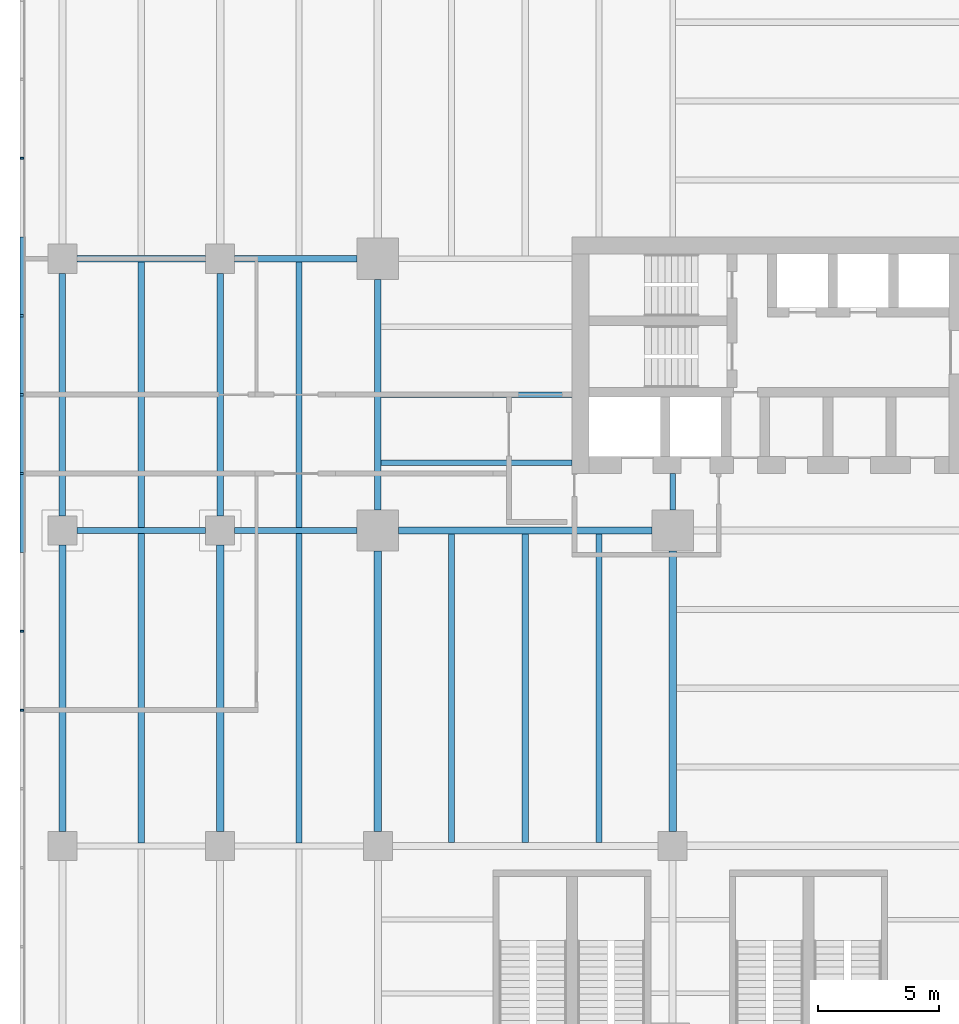
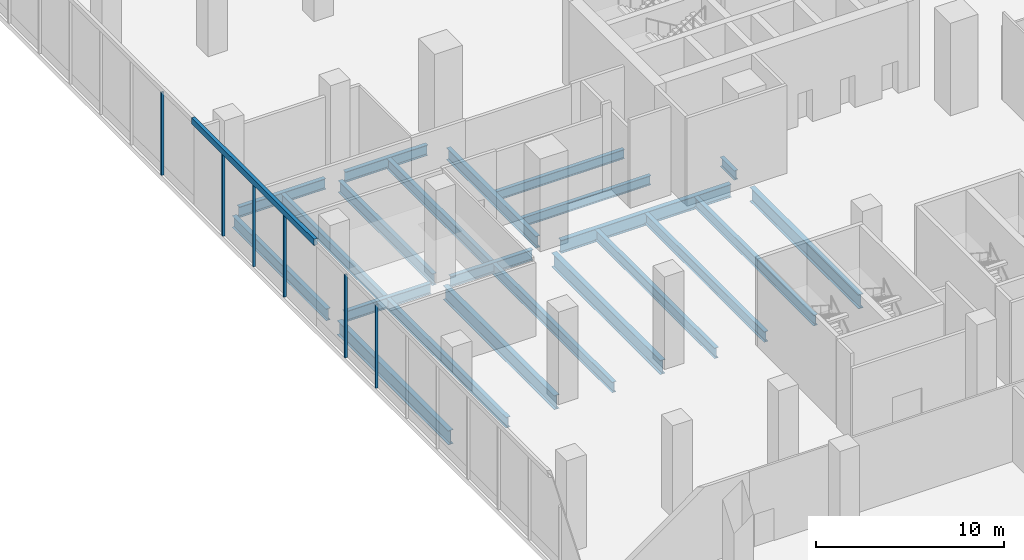
# One storey, part 10 of 41: 22 beams, 7 members, 3 elements without a shape of their own.
"""IFC4 building model written with IfcOpenShell, lengths in metres."""

from ifc_helpers import new_model, si_unit, direction, frame, origin, origin_2d, place, context, subcontext, project, spatial, polyline, rectangle, i_section, outline, extrude, source, transform, mapped, material, layer, layer_set, material_profile, profile_set, type_object, element, aggregate, save


model = new_model("IFC4")

# Units and contexts
model_context = context("Model", 3, precision=1e-05, world=origin(), true_north=direction((0.0, 1.0)))
body_context = subcontext(model_context, "Body", "Model", "MODEL_VIEW")
ifc_project = project(units=[si_unit("LENGTHUNIT", "METRE"), si_unit("AREAUNIT", "SQUARE_METRE"), si_unit("VOLUMEUNIT", "CUBIC_METRE"), si_unit("PLANEANGLEUNIT", "RADIAN"), si_unit("MASSUNIT", "GRAM", prefix="KILO")], contexts=[model_context])

# Site, building, storey
site_placement = place(None, origin())
site = spatial("IfcSite", under=ifc_project, at=site_placement, CompositionType="ELEMENT")
building_placement = place(site_placement, origin())
building = spatial("IfcBuilding", under=site, at=building_placement, Name="Trellis Farm Tower", CompositionType="ELEMENT")
storey_placement = place(building_placement, frame((0.0, 0.0, 8.0)))
storey = spatial("IfcBuildingStorey", under=building, at=storey_placement, Name="L01", CompositionType="ELEMENT", Elevation=8.0)

# Curtain wall, member
ifc_material_1 = material(Name="Aluminium and glass curtain wall", Category="aluminium")
ifc_layer_1 = layer(ifc_material_1, 0.2099609375)
ifc_layer_set_1 = layer_set([ifc_layer_1], Name="LOBBY CURTAIN WALL CW4")
curtain_wall_type_1 = type_object("IfcCurtainWallType", Name="LOBBY CURTAIN WALL CW4", PredefinedType="NOTDEFINED", material=ifc_layer_set_1)
placement = place(storey_placement, origin())
curtain_wall_1 = element("IfcCurtainWall", 1, at=placement, inside=storey, type_object=curtain_wall_type_1, Name="CW4 003", PredefinedType="NOTDEFINED")
ifc_material_2 = material(Name="Aluminium extrusion 6063-T6", Category="aluminium")
ifc_layer_2 = layer(ifc_material_2, 0.2099609375)
ifc_layer_set_2 = layer_set([ifc_layer_2], Name="Aluminium extrusion 6063-T6")
member_type_1 = type_object("IfcMemberType", Name="CW4 TRANSOM 210x400", PredefinedType="USERDEFINED", material=ifc_layer_set_2)
member_1_placement = place(storey_placement, frame((0.0, 0.0, 5.300048828125)))
member_1 = element("IfcMember", 2, at=member_1_placement, type_object=member_type_1, Name="TR4 003", ObjectType="TRANSOM", PredefinedType="USERDEFINED", context=body_context, shape_type="SweptSolid", body=[
    extrude(outline(polyline([(-45.5, 6.5), (-45.5, -6.5), (-45.2900390625, -6.5), (-45.2900390625, 6.5), (-45.5, 6.5)])), origin(), (0.0, 0.0, 1.0), 0.39990234375),
])

# Beams
ifc_material_3 = material(Name="Steel S355", Category="steel")
ifc_material_profile_1 = material_profile(ifc_material_3, i_section(OverallWidth=0.253662109375, OverallDepth=0.68359375, WebThickness=0.012451171875, FlangeThickness=0.021728515625, FilletRadius=0.01513671875, at=origin_2d()), Name="UB 686x254x140")
ifc_profile_set_1 = profile_set([ifc_material_profile_1], Name="Steel S355")
beam_type_1 = type_object("IfcBeamType", Name="UB 686x254x140", PredefinedType="BEAM", material=ifc_profile_set_1)
shared_shape_1 = source(origin(), body_context, "Body", "SweptSolid", [
    extrude(i_section(OverallWidth=0.253662109375, OverallDepth=0.68359375, WebThickness=0.012451171875, FlangeThickness=0.021728515625, FilletRadius=0.01513671875, at=origin_2d()), origin(), (0.0, 0.0, 1.0), 5.2998046875),
])
for number, where, z_axis, x_axis, name in (
    (3, (-43.14990234375, -5.60009765625, -0.641845703125), (1.0, 0.0, 0.0), (0.0, 1.0, 0.0), "Girder"),
    (4, (-43.14990234375, 5.60009765625, -0.641845703125), (1.0, 0.0, 0.0), (0.0, 1.0, 0.0), "Girder"),
):
    element("IfcBeam", number, at=place(storey_placement, frame(where, z_axis=z_axis, x_axis=x_axis)), inside=storey, type_object=beam_type_1, Name=name, PredefinedType="BEAM", context=body_context, shape_type="MappedRepresentation", body=[
        mapped(shared_shape_1, transform((0.0, 0.0, 0.0))),
    ])
ifc_material_profile_2 = material_profile(ifc_material_3, i_section(OverallWidth=0.305419921875, OverallDepth=0.91845703125, WebThickness=0.017333984375, FlangeThickness=0.02783203125, FilletRadius=0.01904296875, at=origin_2d()), Name="UB 914x305x253")
ifc_profile_set_2 = profile_set([ifc_material_profile_2], Name="Steel S355")
beam_type_2 = type_object("IfcBeamType", Name="UB 914x305x253", PredefinedType="BEAM", material=ifc_profile_set_2)
shared_shape_2 = source(origin(), body_context, "Body", "SweptSolid", [
    extrude(i_section(OverallWidth=0.305419921875, OverallDepth=0.91845703125, WebThickness=0.017333984375, FlangeThickness=0.02783203125, FilletRadius=0.01904296875, at=origin_2d()), origin(), (0.0, 0.0, 1.0), 11.800048828125),
])
for number, where, z_axis, x_axis, name in (
    (5, (-43.75, -18.0, -0.75927734375), (0.0, 1.0, 0.0), (-1.0, 0.0, 0.0), "Girder"),
    (6, (-37.25, -18.0, -0.75927734375), (0.0, 1.0, 0.0), (-1.0, 0.0, 0.0), "Girder"),
):
    element("IfcBeam", number, at=place(storey_placement, frame(where, z_axis=z_axis, x_axis=x_axis)), inside=storey, type_object=beam_type_2, Name=name, PredefinedType="BEAM", context=body_context, shape_type="MappedRepresentation", body=[
        mapped(shared_shape_2, transform((0.0, 0.0, 0.0))),
    ])
ifc_material_profile_3 = material_profile(ifc_material_3, i_section(OverallWidth=0.2666015625, OverallDepth=0.76220703125, WebThickness=0.014404296875, FlangeThickness=0.021484375, FilletRadius=0.0166015625, at=origin_2d()), Name="UB 762x267x173")
ifc_profile_set_3 = profile_set([ifc_material_profile_3], Name="Steel S355")
beam_type_3 = type_object("IfcBeamType", Name="UB 762x267x173", PredefinedType="BEAM", material=ifc_profile_set_3)
shared_shape_3 = source(origin(), body_context, "Body", "SweptSolid", [
    extrude(i_section(OverallWidth=0.2666015625, OverallDepth=0.76220703125, WebThickness=0.014404296875, FlangeThickness=0.021484375, FilletRadius=0.0166015625, at=origin_2d()), origin(), (0.0, 0.0, 1.0), 10.0),
])
for number, where, z_axis, x_axis, name in (
    (7, (-43.75, -5.0, -0.68115234375), (0.0, 1.0, 0.0), (-1.0, 0.0, 0.0), "Girder"),
    (8, (-37.25, -5.0, -0.68115234375), (0.0, 1.0, 0.0), (-1.0, 0.0, 0.0), "Girder"),
):
    element("IfcBeam", number, at=place(storey_placement, frame(where, z_axis=z_axis, x_axis=x_axis)), inside=storey, type_object=beam_type_3, Name=name, PredefinedType="BEAM", context=body_context, shape_type="MappedRepresentation", body=[
        mapped(shared_shape_3, transform((0.0, 0.0, 0.0))),
    ])
shared_shape_4 = source(origin(), body_context, "Body", "SweptSolid", [
    extrude(i_section(OverallWidth=0.305419921875, OverallDepth=0.91845703125, WebThickness=0.017333984375, FlangeThickness=0.02783203125, FilletRadius=0.01904296875, at=origin_2d()), origin(), (0.0, 0.0, 1.0), 11.550048828125),
])
for number, where, z_axis, x_axis, name in (
    (9, (-30.75, -18.0, -0.75927734375), (0.0, 1.0, 0.0), (-1.0, 0.0, 0.0), "Girder"),
    (10, (-18.60009765625, -18.0, -0.75927734375), (0.0, 1.0, 0.0), (-1.0, 0.0, 0.0), "Girder"),
):
    element("IfcBeam", number, at=place(storey_placement, frame(where, z_axis=z_axis, x_axis=x_axis)), inside=storey, type_object=beam_type_2, Name=name, PredefinedType="BEAM", context=body_context, shape_type="MappedRepresentation", body=[
        mapped(shared_shape_4, transform((0.0, 0.0, 0.0))),
    ])
shared_shape_5 = source(origin(), body_context, "Body", "SweptSolid", [
    extrude(i_section(OverallWidth=0.2666015625, OverallDepth=0.76220703125, WebThickness=0.014404296875, FlangeThickness=0.021484375, FilletRadius=0.0166015625, at=origin_2d()), origin(), (0.0, 0.0, 1.0), 9.5),
])
beam_1_placement = place(storey_placement, frame((-30.75, -4.75, -0.68115234375), z_axis=(0.0, 1.0, 0.0), x_axis=(-1.0, 0.0, 0.0)))
element("IfcBeam", 11, at=beam_1_placement, inside=storey, type_object=beam_type_3, Name="Girder", PredefinedType="BEAM", context=body_context, shape_type="MappedRepresentation", body=[
    mapped(shared_shape_5, transform((0.0, 0.0, 0.0))),
])
shared_shape_6 = source(origin(), body_context, "Body", "SweptSolid", [
    extrude(i_section(OverallWidth=0.253662109375, OverallDepth=0.68359375, WebThickness=0.012451171875, FlangeThickness=0.021728515625, FilletRadius=0.01513671875, at=origin_2d()), origin(), (0.0, 0.0, 1.0), 5.0498046875),
])
for number, where, z_axis, x_axis, name in (
    (12, (-36.64990234375, -5.60009765625, -0.641845703125), (1.0, 0.0, 0.0), (0.0, 1.0, 0.0), "Girder"),
    (13, (-36.64990234375, 5.60009765625, -0.641845703125), (1.0, 0.0, 0.0), (0.0, 1.0, 0.0), "Girder"),
):
    element("IfcBeam", number, at=place(storey_placement, frame(where, z_axis=z_axis, x_axis=x_axis)), inside=storey, type_object=beam_type_1, Name=name, PredefinedType="BEAM", context=body_context, shape_type="MappedRepresentation", body=[
        mapped(shared_shape_6, transform((0.0, 0.0, 0.0))),
    ])
ifc_material_profile_4 = material_profile(ifc_material_3, i_section(OverallWidth=0.29248046875, OverallDepth=0.8408203125, WebThickness=0.0146484375, FlangeThickness=0.021728515625, FilletRadius=0.017822265625, at=origin_2d()), Name="UB 838x292x194")
ifc_profile_set_4 = profile_set([ifc_material_profile_4], Name="Steel S355")
beam_type_4 = type_object("IfcBeamType", Name="UB 838x292x194", PredefinedType="BEAM", material=ifc_profile_set_4)
shared_shape_7 = source(origin(), body_context, "Body", "SweptSolid", [
    extrude(i_section(OverallWidth=0.29248046875, OverallDepth=0.8408203125, WebThickness=0.0146484375, FlangeThickness=0.021728515625, FilletRadius=0.017822265625, at=origin_2d()), origin(), (0.0, 0.0, 1.0), 10.449951171875),
])
beam_2_placement = place(storey_placement, frame((-29.89990234375, -5.60009765625, -0.72021484375), z_axis=(1.0, 0.0, 0.0), x_axis=(0.0, 1.0, 0.0)))
element("IfcBeam", 14, at=beam_2_placement, inside=storey, type_object=beam_type_4, Name="Girder", PredefinedType="BEAM", context=body_context, shape_type="MappedRepresentation", body=[
    mapped(shared_shape_7, transform((0.0, 0.0, 0.0))),
])
ifc_material_profile_5 = material_profile(ifc_material_3, i_section(OverallWidth=0.22900390625, OverallDepth=0.6123046875, WebThickness=0.011962890625, FlangeThickness=0.01953125, FilletRadius=0.0126953125, at=origin_2d()), Name="UB 610x229x125")
ifc_profile_set_5 = profile_set([ifc_material_profile_5], Name="Steel S355")
beam_type_5 = type_object("IfcBeamType", Name="UB 610x229x125", PredefinedType="BEAM", material=ifc_profile_set_5)
shared_shape_8 = source(origin(), body_context, "Body", "SweptSolid", [
    extrude(i_section(OverallWidth=0.22900390625, OverallDepth=0.6123046875, WebThickness=0.011962890625, FlangeThickness=0.01953125, FilletRadius=0.0126953125, at=origin_2d()), origin(), (0.0, 0.0, 1.0), 1.5),
])
beam_3_placement = place(storey_placement, frame((-18.60009765625, -4.75, -0.606201171875), z_axis=(0.0, 1.0, 0.0), x_axis=(-1.0, 0.0, 0.0)))
element("IfcBeam", 15, at=beam_3_placement, inside=storey, type_object=beam_type_5, Name="Girder", PredefinedType="BEAM", context=body_context, shape_type="MappedRepresentation", body=[
    mapped(shared_shape_8, transform((0.0, 0.0, 0.0))),
])
ifc_material_profile_6 = material_profile(ifc_material_3, i_section(OverallWidth=0.253662109375, OverallDepth=0.68359375, WebThickness=0.012451171875, FlangeThickness=0.021728515625, FilletRadius=0.01513671875, at=origin_2d()), Name="UB 686x254x140")
ifc_profile_set_6 = profile_set([ifc_material_profile_6], Name="Steel S355")
beam_type_6 = type_object("IfcBeamType", Name="UB 686x254x140 joist", PredefinedType="JOIST", material=ifc_profile_set_6)
shared_shape_9 = source(origin(), body_context, "Body", "SweptSolid", [
    extrude(i_section(OverallWidth=0.253662109375, OverallDepth=0.68359375, WebThickness=0.012451171875, FlangeThickness=0.021728515625, FilletRadius=0.01513671875, at=origin_2d()), origin(), (0.0, 0.0, 1.0), 12.746337890625),
])
for number, where, z_axis, x_axis, name in (
    (16, (-40.5, -18.47314453125, -0.641845703125), (0.0, 1.0, 0.0), (-1.0, 0.0, 0.0), "Floor beam"),
    (17, (-34.0, -18.47314453125, -0.641845703125), (0.0, 1.0, 0.0), (-1.0, 0.0, 0.0), "Floor beam"),
):
    element("IfcBeam", number, at=place(storey_placement, frame(where, z_axis=z_axis, x_axis=x_axis)), inside=storey, type_object=beam_type_6, Name=name, PredefinedType="JOIST", context=body_context, shape_type="MappedRepresentation", body=[
        mapped(shared_shape_9, transform((0.0, 0.0, 0.0))),
    ])
shared_shape_10 = source(origin(), body_context, "Body", "SweptSolid", [
    extrude(i_section(OverallWidth=0.253662109375, OverallDepth=0.68359375, WebThickness=0.012451171875, FlangeThickness=0.021728515625, FilletRadius=0.01513671875, at=origin_2d()), origin(), (0.0, 0.0, 1.0), 10.9462890625),
])
for number, where, z_axis, x_axis, name in (
    (18, (-40.5, -5.47314453125, -0.641845703125), (0.0, 1.0, 0.0), (-1.0, 0.0, 0.0), "Floor beam"),
    (19, (-34.0, -5.47314453125, -0.641845703125), (0.0, 1.0, 0.0), (-1.0, 0.0, 0.0), "Floor beam"),
):
    element("IfcBeam", number, at=place(storey_placement, frame(where, z_axis=z_axis, x_axis=x_axis)), inside=storey, type_object=beam_type_6, Name=name, PredefinedType="JOIST", context=body_context, shape_type="MappedRepresentation", body=[
        mapped(shared_shape_10, transform((0.0, 0.0, 0.0))),
    ])
ifc_material_profile_7 = material_profile(ifc_material_3, i_section(OverallWidth=0.2275390625, OverallDepth=0.6025390625, WebThickness=0.010498046875, FlangeThickness=0.014892578125, FilletRadius=0.0126953125, at=origin_2d()), Name="UB 610x229x101")
ifc_profile_set_7 = profile_set([ifc_material_profile_7], Name="Steel S355")
beam_type_7 = type_object("IfcBeamType", Name="UB 610x229x101 joist", PredefinedType="JOIST", material=ifc_profile_set_7)
shared_shape_11 = source(origin(), body_context, "Body", "SweptSolid", [
    extrude(i_section(OverallWidth=0.2275390625, OverallDepth=0.6025390625, WebThickness=0.010498046875, FlangeThickness=0.014892578125, FilletRadius=0.0126953125, at=origin_2d()), origin(), (0.0, 0.0, 1.0), 7.86669921875),
])
for number, where, z_axis, x_axis, name in (
    (20, (-30.61669921875, -2.800048828125, -0.601318359375), (1.0, 0.0, 0.0), (0.0, 1.0, 0.0), "Floor beam"),
    (21, (-30.61669921875, 0.0, -0.601318359375), (1.0, 0.0, 0.0), (0.0, 1.0, 0.0), "Floor beam"),
):
    element("IfcBeam", number, at=place(storey_placement, frame(where, z_axis=z_axis, x_axis=x_axis)), inside=storey, type_object=beam_type_7, Name=name, PredefinedType="JOIST", context=body_context, shape_type="MappedRepresentation", body=[
        mapped(shared_shape_11, transform((0.0, 0.0, 0.0))),
    ])
shared_shape_12 = source(origin(), body_context, "Body", "SweptSolid", [
    extrude(i_section(OverallWidth=0.253662109375, OverallDepth=0.68359375, WebThickness=0.012451171875, FlangeThickness=0.021728515625, FilletRadius=0.01513671875, at=origin_2d()), origin(), (0.0, 0.0, 1.0), 12.707763671875),
])
for number, where, z_axis, x_axis, name in (
    (22, (-27.71240234375, -18.453857421875, -0.641845703125), (0.0, 1.0, 0.0), (-1.0, 0.0, 0.0), "Floor beam"),
    (23, (-24.675048828125, -18.453857421875, -0.641845703125), (0.0, 1.0, 0.0), (-1.0, 0.0, 0.0), "Floor beam"),
    (24, (-21.637451171875, -18.453857421875, -0.641845703125), (0.0, 1.0, 0.0), (-1.0, 0.0, 0.0), "Floor beam"),
):
    element("IfcBeam", number, at=place(storey_placement, frame(where, z_axis=z_axis, x_axis=x_axis)), inside=storey, type_object=beam_type_6, Name=name, PredefinedType="JOIST", context=body_context, shape_type="MappedRepresentation", body=[
        mapped(shared_shape_12, transform((0.0, 0.0, 0.0))),
    ])

# Curtain wall, member
ifc_layer_3 = layer(ifc_material_1, 0.201904296875)
ifc_layer_set_3 = layer_set([ifc_layer_3], Name="SHOPFRONT CURTAIN WALL CW2")
curtain_wall_type_2 = type_object("IfcCurtainWallType", Name="SHOPFRONT CURTAIN WALL CW2", PredefinedType="NOTDEFINED", material=ifc_layer_set_3)
curtain_wall_2 = element("IfcCurtainWall", 25, at=placement, inside=storey, type_object=curtain_wall_type_2, Name="CW2 005", PredefinedType="NOTDEFINED")
ifc_material_profile_8 = material_profile(ifc_material_2, rectangle(XDim=0.080078125, YDim=0.14990234375, at=origin_2d()), Name="MULLION 80x150")
ifc_profile_set_8 = profile_set([ifc_material_profile_8], Name="Aluminium extrusion 6063-T6")
member_type_2 = type_object("IfcMemberType", Name="CW2 MULLION 80x150", PredefinedType="MULLION", material=ifc_profile_set_8)
shared_shape_13 = source(origin(), body_context, "Body", "SweptSolid", [
    extrude(rectangle(XDim=0.080078125, YDim=0.14990234375, at=origin_2d()), origin(), (0.0, 0.0, 1.0), 5.39990234375),
])
member_2_placement = place(storey_placement, frame((-45.425048828125, 9.75, 0.0), z_axis=(0.0, 0.0, 1.0), x_axis=(0.0, -1.0, 0.0)))
member_2 = element("IfcMember", 26, at=member_2_placement, type_object=member_type_2, Name="MU2 005-10", PredefinedType="MULLION", context=body_context, shape_type="MappedRepresentation", body=[
    mapped(shared_shape_13, transform((0.0, 0.0, 0.0))),
])
aggregate(curtain_wall_2, [member_2])

# Curtain wall, members
curtain_wall_3 = element("IfcCurtainWall", 27, at=placement, inside=storey, type_object=curtain_wall_type_2, Name="CW2 006", PredefinedType="NOTDEFINED")
member_3_placement = place(storey_placement, frame((-45.425048828125, -9.75, 0.0), z_axis=(0.0, 0.0, 1.0), x_axis=(0.0, -1.0, 0.0)))
member_3 = element("IfcMember", 28, at=member_3_placement, type_object=member_type_2, Name="MU2 006-01", PredefinedType="MULLION", context=body_context, shape_type="MappedRepresentation", body=[
    mapped(shared_shape_13, transform((0.0, 0.0, 0.0))),
])
member_4_placement = place(storey_placement, frame((-45.425048828125, -13.0, 0.0), z_axis=(0.0, 0.0, 1.0), x_axis=(0.0, -1.0, 0.0)))
member_4 = element("IfcMember", 29, at=member_4_placement, type_object=member_type_2, Name="MU2 006-02", PredefinedType="MULLION", context=body_context, shape_type="MappedRepresentation", body=[
    mapped(shared_shape_13, transform((0.0, 0.0, 0.0))),
])
aggregate(curtain_wall_3, [member_3, member_4])

# Member
ifc_material_profile_9 = material_profile(ifc_material_2, rectangle(XDim=0.10009765625, YDim=0.14990234375, at=origin_2d()), Name="MULLION 100x150")
ifc_profile_set_9 = profile_set([ifc_material_profile_9], Name="Aluminium extrusion 6063-T6")
member_type_3 = type_object("IfcMemberType", Name="CW4 MULLION 100x150", PredefinedType="MULLION", material=ifc_profile_set_9)
shared_shape_14 = source(origin(), body_context, "Body", "SweptSolid", [
    extrude(rectangle(XDim=0.10009765625, YDim=0.14990234375, at=origin_2d()), origin(), (0.0, 0.0, 1.0), 5.300048828125),
])
member_5_placement = place(storey_placement, frame((-45.425048828125, 3.25, 0.0), z_axis=(0.0, 0.0, 1.0), x_axis=(0.0, -1.0, 0.0)))
member_5 = element("IfcMember", 30, at=member_5_placement, type_object=member_type_3, Name="MU4 003-01", PredefinedType="MULLION", context=body_context, shape_type="MappedRepresentation", body=[
    mapped(shared_shape_14, transform((0.0, 0.0, 0.0))),
])

member_6_placement = place(storey_placement, frame((-45.425048828125, 0.0, 0.0), z_axis=(0.0, 0.0, 1.0), x_axis=(0.0, -1.0, 0.0)))
member_6 = element("IfcMember", 31, at=member_6_placement, type_object=member_type_3, Name="MU4 003-02", PredefinedType="MULLION", context=body_context, shape_type="MappedRepresentation", body=[
    mapped(shared_shape_14, transform((0.0, 0.0, 0.0))),
])

member_7_placement = place(storey_placement, frame((-45.425048828125, -3.25, 0.0), z_axis=(0.0, 0.0, 1.0), x_axis=(0.0, -1.0, 0.0)))
member_7 = element("IfcMember", 32, at=member_7_placement, type_object=member_type_3, Name="MU4 003-03", PredefinedType="MULLION", context=body_context, shape_type="MappedRepresentation", body=[
    mapped(shared_shape_14, transform((0.0, 0.0, 0.0))),
])

aggregate(curtain_wall_1, [member_5, member_6, member_7, member_1])

save(model, "model.ifc")
